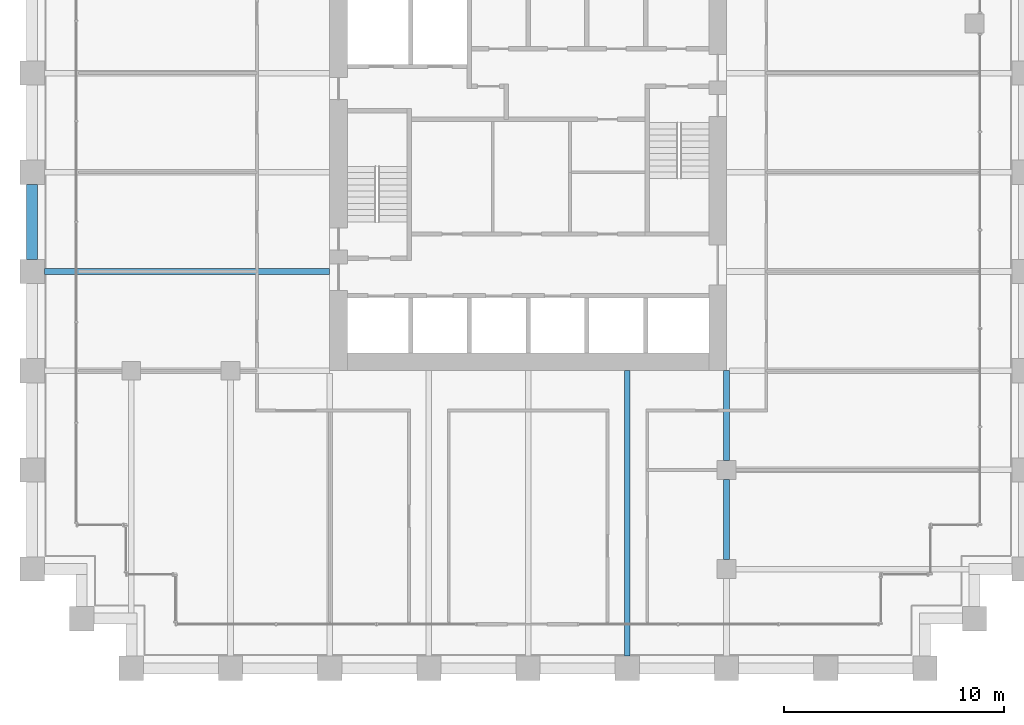
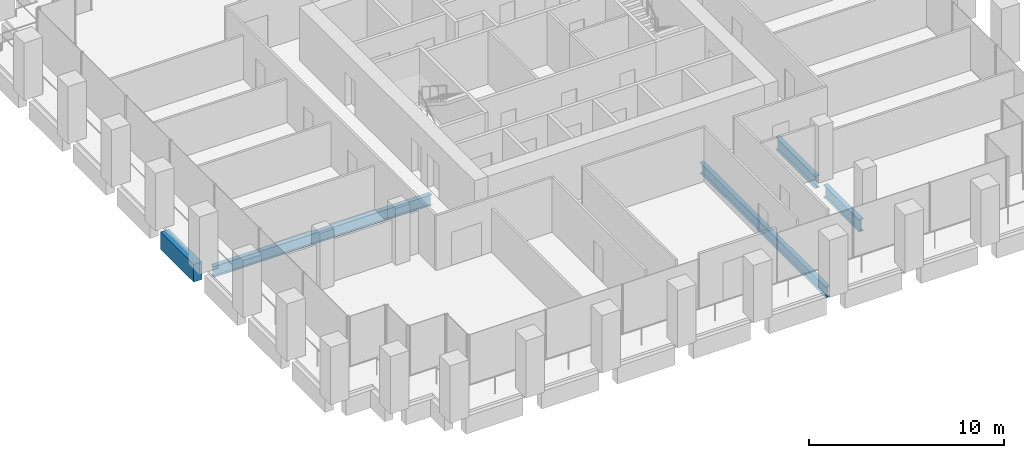
# One storey, part 10 of 56: 5 beams.
"""IFC4 building model written with IfcOpenShell, lengths in metres."""

from ifc_helpers import new_model, si_unit, direction, frame, origin, origin_2d, place, context, subcontext, project, spatial, rectangle, i_section, extrude, material, material_profile, profile_set, type_object, element, save


model = new_model("IFC4")

# Units and contexts
model_context = context("Model", 3, precision=1e-05, world=origin(), true_north=direction((0.0, 1.0)))
body_context = subcontext(model_context, "Body", "Model", "MODEL_VIEW")
ifc_project = project(units=[si_unit("LENGTHUNIT", "METRE"), si_unit("AREAUNIT", "SQUARE_METRE"), si_unit("VOLUMEUNIT", "CUBIC_METRE"), si_unit("PLANEANGLEUNIT", "RADIAN"), si_unit("MASSUNIT", "GRAM", prefix="KILO")], contexts=[model_context])

# Site, building, storey
site_placement = place(None, origin())
site = spatial("IfcSite", under=ifc_project, at=site_placement, CompositionType="ELEMENT")
building_placement = place(site_placement, origin())
building = spatial("IfcBuilding", under=site, at=building_placement, Name="Altepetl Exchange Towers", CompositionType="ELEMENT")
storey_placement = place(building_placement, frame((0.0, 0.0, 72.60009765625)))
storey = spatial("IfcBuildingStorey", under=building, at=storey_placement, Name="L17", CompositionType="ELEMENT", Elevation=72.60009765625)

# Beams
ifc_material_1 = material(Name="Steel S355", Category="steel")
ifc_material_profile_1 = material_profile(ifc_material_1, i_section(OverallWidth=0.25390625, OverallDepth=0.68408203125, WebThickness=0.012451171875, FlangeThickness=0.018798828125, at=origin_2d()), Name="W27X94")
ifc_profile_set_1 = profile_set([ifc_material_profile_1], Name="Steel S355")
beam_type_1 = type_object("IfcBeamType", Name="Floor beam W27X94", PredefinedType="BEAM", material=ifc_profile_set_1)
for number, where, z_axis, x_axis, name in (
    (1, (54.0, 27.550048828125, -0.4921875), (0.0, 1.0, 0.0), (-1.0, 0.0, 0.0), "bm:A:L17:017"),
    (2, (27.550048828125, 45.0, -0.4921875), (1.0, 0.0, 0.0), (0.0, 1.0, 0.0), "bm:A:L17:018"),
):
    element("IfcBeam", number, at=place(storey_placement, frame(where, z_axis=z_axis, x_axis=x_axis)), inside=storey, type_object=beam_type_1, Name=name, PredefinedType="BEAM", context=body_context, shape_type="SweptSolid", body=[
        extrude(i_section(OverallWidth=0.25390625, OverallDepth=0.68408203125, WebThickness=0.012451171875, FlangeThickness=0.018798828125, at=origin_2d()), origin(), (0.0, 0.0, 1.0), 12.949951171875),
    ])
ifc_material_profile_2 = material_profile(ifc_material_1, i_section(OverallWidth=0.26806640625, OverallDepth=0.77392578125, WebThickness=0.015380859375, FlangeThickness=0.025390625, at=origin_2d()), Name="W30X132")
ifc_profile_set_2 = profile_set([ifc_material_profile_2], Name="Steel S355")
beam_type_2 = type_object("IfcBeamType", Name="Girder W30X132", PredefinedType="BEAM", material=ifc_profile_set_2)
beam_1_placement = place(storey_placement, frame((58.5, 40.5, -0.537109375), z_axis=(0.0, -1.0, 0.0), x_axis=(1.0, 0.0, 0.0)))
element("IfcBeam", 3, at=beam_1_placement, inside=storey, type_object=beam_type_2, Name="gd:A:L17:006", PredefinedType="BEAM", context=body_context, shape_type="SweptSolid", body=[
    extrude(i_section(OverallWidth=0.26806640625, OverallDepth=0.77392578125, WebThickness=0.015380859375, FlangeThickness=0.025390625, at=origin_2d()), origin(), (0.0, 0.0, 1.0), 4.074951171875),
])
beam_2_placement = place(storey_placement, frame((58.5, 35.574951171875, -0.537109375), z_axis=(0.0, -1.0, 0.0), x_axis=(1.0, 0.0, 0.0)))
element("IfcBeam", 4, at=beam_2_placement, inside=storey, type_object=beam_type_2, Name="gd:A:L17:007", PredefinedType="BEAM", context=body_context, shape_type="SweptSolid", body=[
    extrude(i_section(OverallWidth=0.26806640625, OverallDepth=0.77392578125, WebThickness=0.015380859375, FlangeThickness=0.025390625, at=origin_2d()), origin(), (0.0, 0.0, 1.0), 3.64990234375),
])
ifc_material_2 = material(Name="Concrete C50/60 precast with tezontle facing", Category="concrete")
ifc_material_profile_3 = material_profile(ifc_material_2, rectangle(XDim=0.5, YDim=1.10009765625, at=origin_2d()), Name="500 x 1100")
ifc_profile_set_3 = profile_set([ifc_material_profile_3], Name="Concrete C50/60 precast with tezontle facing")
beam_type_3 = type_object("IfcBeamType", Name="Spandrel beam 500x1100 tezontle", PredefinedType="SPANDREL", material=ifc_profile_set_3)
beam_3_placement = place(storey_placement, frame((27.0, 48.949951171875, -0.7001953125), z_axis=(0.0, -1.0, 0.0), x_axis=(1.0, 0.0, 0.0)))
element("IfcBeam", 5, at=beam_3_placement, inside=storey, type_object=beam_type_3, Name="sp:A:L17:040", PredefinedType="SPANDREL", context=body_context, shape_type="SweptSolid", body=[
    extrude(rectangle(XDim=0.5, YDim=1.10009765625, at=origin_2d()), origin(), (0.0, 0.0, 1.0), 3.39990234375),
])

save(model, "model.ifc")
